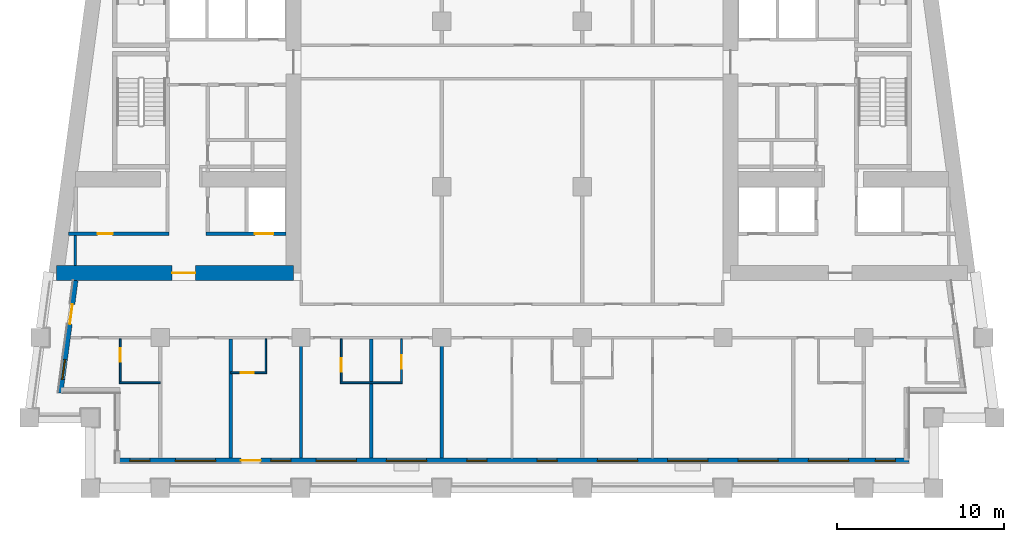
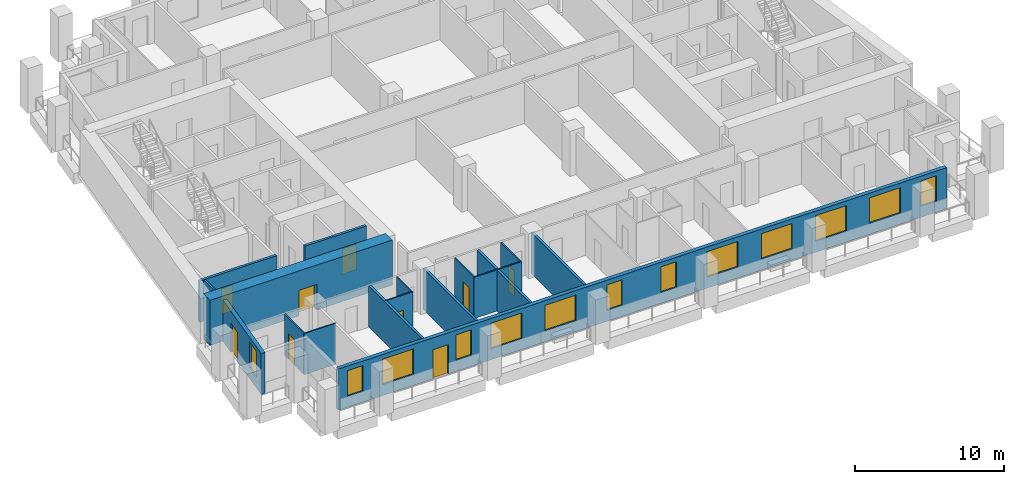
# One storey, part 2 of 13: 17 walls, 13 windows, 9 doors, 22 openings.
"""IFC4 building model written with IfcOpenShell, lengths in metres."""

from ifc_helpers import new_model, si_unit, direction, frame, frame_2d, origin, place, context, subcontext, project, spatial, rectangle, extrude, material, layer, layer_set, type_object, element, fill, save


model = new_model("IFC4")

# Units and contexts
model_context = context("Model", 3, precision=1e-05, world=origin(), true_north=direction((0.0, 1.0)))
body_context = subcontext(model_context, "Body", "Model", "MODEL_VIEW")
ifc_project = project(units=[si_unit("LENGTHUNIT", "METRE"), si_unit("AREAUNIT", "SQUARE_METRE"), si_unit("VOLUMEUNIT", "CUBIC_METRE"), si_unit("PLANEANGLEUNIT", "RADIAN"), si_unit("MASSUNIT", "GRAM", prefix="KILO")], contexts=[model_context])

# Site, building, storey
site_placement = place(None, origin())
site = spatial("IfcSite", under=ifc_project, at=site_placement, CompositionType="ELEMENT")
building_placement = place(site_placement, origin())
building = spatial("IfcBuilding", under=site, at=building_placement, Name="Candeia Pilgrim Tower and Theatre", CompositionType="ELEMENT")
storey_placement = place(building_placement, frame((0.0, 0.0, 151.5)))
storey = spatial("IfcBuildingStorey", under=building, at=storey_placement, Name="L35", CompositionType="ELEMENT", Elevation=151.5)

# Wall, opening, door
ifc_material_1 = material(Name="Concrete C60/75", Category="concrete")
ifc_layer_1 = layer(ifc_material_1, 0.89990234375)
ifc_layer_set_1 = layer_set([ifc_layer_1], Name="Core wall 900 C60/75")
wall_type_1 = type_object("IfcWallType", Name="Core wall 900 C60/75", PredefinedType="SHEAR", material=ifc_layer_set_1)
wall_1_placement = place(storey_placement, frame((100.35009765625, 110.85009765625, 0.0), z_axis=(0.0, 0.0, 1.0), x_axis=(-1.0, 0.0, 0.0)))
wall_1 = element("IfcWall", 1, at=wall_1_placement, inside=storey, type_object=wall_type_1, Name="Core wall W3", PredefinedType="SHEAR", context=body_context, shape_type="SweptSolid", body=[
    extrude(rectangle(XDim=14.166259765625, YDim=0.89990234375, at=frame_2d((7.0830078125, 0.0))), origin(), (0.0, 0.0, 1.0), 3.699951171875),
])
opening_1_placement = place(wall_1_placement, frame((5.854736328125, 0.0, 0.0)))
opening_1 = element("IfcOpeningElement", 2, at=opening_1_placement, cuts=wall_1, Name="Opening L35-D057", PredefinedType="OPENING", context=body_context, shape_type="SweptSolid", body=[
    extrude(rectangle(XDim=1.39990234375, YDim=2.10009765625, at=frame_2d((0.699951171875, 1.050048828125))), frame((0.0, 0.4599609375, 0.0), z_axis=(0.0, -1.0, 0.0), x_axis=(1.0, 0.0, 0.0)), (0.0, 0.0, 1.0), 0.919921875),
])
ifc_material_2 = material(Name="Steel fire door set", Category="steel")
door_type_1 = type_object("IfcDoorType", Name="D-1400-FD60", OperationType="NOTDEFINED", PredefinedType="DOOR", material=ifc_material_2)
door_1_placement = place(opening_1_placement, origin())
door_1 = element("IfcDoor", 3, at=door_1_placement, inside=storey, type_object=door_type_1, Name="Door L35-D057", OperationType="SINGLE_SWING_RIGHT", OverallHeight=2.10009765625, OverallWidth=1.39990234375, PredefinedType="DOOR", context=body_context, shape_type="SweptSolid", body=[
    extrude(rectangle(XDim=1.39990234375, YDim=2.10009765625, at=frame_2d((0.699951171875, 1.050048828125))), frame((0.0, 0.02490234375, 0.0), z_axis=(0.0, -1.0, 0.0), x_axis=(1.0, 0.0, 0.0)), (0.0, 0.0, 1.0), 0.050048828125),
])
fill(opening_1, door_1)

# Wall, openings, door, windows
ifc_material_3 = material(Name="Ceramic block masonry", Category="masonry")
ifc_layer_2 = layer(ifc_material_3, 0.300048828125)
ifc_layer_set_2 = layer_set([ifc_layer_2], Name="EW1 glazing-line wall 300")
wall_type_2 = type_object("IfcWallType", Name="EW1 glazing-line wall 300", PredefinedType="SOLIDWALL", material=ifc_layer_set_2)
wall_2_placement = place(storey_placement, frame((89.85009765625, 99.64990234375, 0.0), z_axis=(0.0, 0.0, 1.0), x_axis=(1.0, 0.0, 0.0)))
wall_2 = element("IfcWall", 4, at=wall_2_placement, inside=storey, type_object=wall_type_2, Name="External wall L35-0.0", PredefinedType="SOLIDWALL", context=body_context, shape_type="SweptSolid", body=[
    extrude(rectangle(XDim=47.25, YDim=0.300048828125, at=frame_2d((23.625, 0.0))), origin(), (0.0, 0.0, 1.0), 3.3798828125),
])
opening_2_placement = place(wall_2_placement, frame((0.72509765625, 0.0, 0.89990234375)))
opening_2 = element("IfcOpeningElement", 5, at=opening_2_placement, cuts=wall_2, Name="Opening W-B", PredefinedType="OPENING", context=body_context, shape_type="SweptSolid", body=[
    extrude(rectangle(XDim=1.199951171875, YDim=2.10009765625, at=frame_2d((0.60009765625, 1.050048828125))), frame((0.0, 0.16015625, 0.0), z_axis=(0.0, -1.0, 0.0), x_axis=(1.0, 0.0, 0.0)), (0.0, 0.0, 1.0), 0.320068359375),
])
opening_3_placement = place(wall_2_placement, frame((3.449951171875, 0.0, 0.89990234375)))
opening_3 = element("IfcOpeningElement", 6, at=opening_3_placement, cuts=wall_2, Name="Opening W-A", PredefinedType="OPENING", context=body_context, shape_type="SweptSolid", body=[
    extrude(rectangle(XDim=2.39990234375, YDim=2.10009765625, at=frame_2d((1.199951171875, 1.050048828125))), frame((0.0, 0.16015625, 0.0), z_axis=(0.0, -1.0, 0.0), x_axis=(1.0, 0.0, 0.0)), (0.0, 0.0, 1.0), 0.320068359375),
])
opening_4_placement = place(wall_2_placement, frame((7.35009765625, 0.0, 0.0)))
opening_4 = element("IfcOpeningElement", 7, at=opening_4_placement, cuts=wall_2, Name="Opening L35-ED335", PredefinedType="OPENING", context=body_context, shape_type="SweptSolid", body=[
    extrude(rectangle(XDim=1.199951171875, YDim=2.39990234375, at=frame_2d((0.60009765625, 1.199951171875))), frame((0.0, 0.16015625, 0.0), z_axis=(0.0, -1.0, 0.0), x_axis=(1.0, 0.0, 0.0)), (0.0, 0.0, 1.0), 0.320068359375),
])
opening_5_placement = place(wall_2_placement, frame((9.14990234375, 0.0, 0.89990234375)))
opening_5 = element("IfcOpeningElement", 8, at=opening_5_placement, cuts=wall_2, Name="Opening W-B", PredefinedType="OPENING", context=body_context, shape_type="SweptSolid", body=[
    extrude(rectangle(XDim=1.199951171875, YDim=2.10009765625, at=frame_2d((0.60009765625, 1.050048828125))), frame((0.0, 0.16015625, 0.0), z_axis=(0.0, -1.0, 0.0), x_axis=(1.0, 0.0, 0.0)), (0.0, 0.0, 1.0), 0.320068359375),
])
opening_6_placement = place(wall_2_placement, frame((11.85009765625, 0.0, 0.89990234375)))
opening_6 = element("IfcOpeningElement", 9, at=opening_6_placement, cuts=wall_2, Name="Opening W-A", PredefinedType="OPENING", context=body_context, shape_type="SweptSolid", body=[
    extrude(rectangle(XDim=2.39990234375, YDim=2.10009765625, at=frame_2d((1.199951171875, 1.050048828125))), frame((0.0, 0.16015625, 0.0), z_axis=(0.0, -1.0, 0.0), x_axis=(1.0, 0.0, 0.0)), (0.0, 0.0, 1.0), 0.320068359375),
])
opening_7_placement = place(wall_2_placement, frame((16.050048828125, 0.0, 0.89990234375)))
opening_7 = element("IfcOpeningElement", 10, at=opening_7_placement, cuts=wall_2, Name="Opening W-A", PredefinedType="OPENING", context=body_context, shape_type="SweptSolid", body=[
    extrude(rectangle(XDim=2.39990234375, YDim=2.10009765625, at=frame_2d((1.199951171875, 1.050048828125))), frame((0.0, 0.16015625, 0.0), z_axis=(0.0, -1.0, 0.0), x_axis=(1.0, 0.0, 0.0)), (0.0, 0.0, 1.0), 0.320068359375),
])
opening_8_placement = place(wall_2_placement, frame((20.85009765625, 0.0, 0.89990234375)))
opening_8 = element("IfcOpeningElement", 11, at=opening_8_placement, cuts=wall_2, Name="Opening W-B", PredefinedType="OPENING", context=body_context, shape_type="SweptSolid", body=[
    extrude(rectangle(XDim=1.199951171875, YDim=2.10009765625, at=frame_2d((0.60009765625, 1.050048828125))), frame((0.0, 0.16015625, 0.0), z_axis=(0.0, -1.0, 0.0), x_axis=(1.0, 0.0, 0.0)), (0.0, 0.0, 1.0), 0.320068359375),
])
opening_9_placement = place(wall_2_placement, frame((25.050048828125, 0.0, 0.89990234375)))
opening_9 = element("IfcOpeningElement", 12, at=opening_9_placement, cuts=wall_2, Name="Opening W-B", PredefinedType="OPENING", context=body_context, shape_type="SweptSolid", body=[
    extrude(rectangle(XDim=1.199951171875, YDim=2.10009765625, at=frame_2d((0.60009765625, 1.050048828125))), frame((0.0, 0.16015625, 0.0), z_axis=(0.0, -1.0, 0.0), x_axis=(1.0, 0.0, 0.0)), (0.0, 0.0, 1.0), 0.320068359375),
])
opening_10_placement = place(wall_2_placement, frame((28.64990234375, 0.0, 0.89990234375)))
opening_10 = element("IfcOpeningElement", 13, at=opening_10_placement, cuts=wall_2, Name="Opening W-A", PredefinedType="OPENING", context=body_context, shape_type="SweptSolid", body=[
    extrude(rectangle(XDim=2.39990234375, YDim=2.10009765625, at=frame_2d((1.199951171875, 1.050048828125))), frame((0.0, 0.16015625, 0.0), z_axis=(0.0, -1.0, 0.0), x_axis=(1.0, 0.0, 0.0)), (0.0, 0.0, 1.0), 0.320068359375),
])
opening_11_placement = place(wall_2_placement, frame((32.85009765625, 0.0, 0.89990234375)))
opening_11 = element("IfcOpeningElement", 14, at=opening_11_placement, cuts=wall_2, Name="Opening W-A", PredefinedType="OPENING", context=body_context, shape_type="SweptSolid", body=[
    extrude(rectangle(XDim=2.39990234375, YDim=2.10009765625, at=frame_2d((1.199951171875, 1.050048828125))), frame((0.0, 0.16015625, 0.0), z_axis=(0.0, -1.0, 0.0), x_axis=(1.0, 0.0, 0.0)), (0.0, 0.0, 1.0), 0.320068359375),
])
opening_12_placement = place(wall_2_placement, frame((37.050048828125, 0.0, 0.89990234375)))
opening_12 = element("IfcOpeningElement", 15, at=opening_12_placement, cuts=wall_2, Name="Opening W-A", PredefinedType="OPENING", context=body_context, shape_type="SweptSolid", body=[
    extrude(rectangle(XDim=2.39990234375, YDim=2.10009765625, at=frame_2d((1.199951171875, 1.050048828125))), frame((0.0, 0.16015625, 0.0), z_axis=(0.0, -1.0, 0.0), x_axis=(1.0, 0.0, 0.0)), (0.0, 0.0, 1.0), 0.320068359375),
])
opening_13_placement = place(wall_2_placement, frame((41.25, 0.0, 0.89990234375)))
opening_13 = element("IfcOpeningElement", 16, at=opening_13_placement, cuts=wall_2, Name="Opening W-A", PredefinedType="OPENING", context=body_context, shape_type="SweptSolid", body=[
    extrude(rectangle(XDim=2.39990234375, YDim=2.10009765625, at=frame_2d((1.199951171875, 1.050048828125))), frame((0.0, 0.16015625, 0.0), z_axis=(0.0, -1.0, 0.0), x_axis=(1.0, 0.0, 0.0)), (0.0, 0.0, 1.0), 0.320068359375),
])
opening_14_placement = place(wall_2_placement, frame((45.25, 0.0, 0.89990234375)))
opening_14 = element("IfcOpeningElement", 17, at=opening_14_placement, cuts=wall_2, Name="Opening W-B", PredefinedType="OPENING", context=body_context, shape_type="SweptSolid", body=[
    extrude(rectangle(XDim=1.199951171875, YDim=2.10009765625, at=frame_2d((0.60009765625, 1.050048828125))), frame((0.0, 0.16015625, 0.0), z_axis=(0.0, -1.0, 0.0), x_axis=(1.0, 0.0, 0.0)), (0.0, 0.0, 1.0), 0.320068359375),
])
ifc_material_4 = material(Name="Aluminium framed glazed door", Category="aluminium")
door_type_2 = type_object("IfcDoorType", Name="Loggia door 1200x2400", OperationType="DOUBLE_DOOR_SINGLE_SWING", PredefinedType="DOOR", material=ifc_material_4)
door_2_placement = place(opening_4_placement, origin())
door_2 = element("IfcDoor", 18, at=door_2_placement, inside=storey, type_object=door_type_2, Name="Loggia door L35-ED335", OperationType="DOUBLE_DOOR_SINGLE_SWING", OverallHeight=2.39990234375, OverallWidth=1.199951171875, PredefinedType="DOOR", context=body_context, shape_type="SweptSolid", body=[
    extrude(rectangle(XDim=1.199951171875, YDim=2.39990234375, at=frame_2d((0.60009765625, 1.199951171875))), frame((0.0, 0.02490234375, 0.0), z_axis=(0.0, -1.0, 0.0), x_axis=(1.0, 0.0, 0.0)), (0.0, 0.0, 1.0), 0.050048828125),
])
fill(opening_4, door_2)
ifc_material_5 = material(Name="Aluminium framed double glazing", Category="aluminium")
window_type_1 = type_object("IfcWindowType", Name="W-A window 2400x2100", PartitioningType="DOUBLE_PANEL_VERTICAL", PredefinedType="WINDOW", material=ifc_material_5)
window_1_placement = place(opening_3_placement, origin())
window_1 = element("IfcWindow", 19, at=window_1_placement, inside=storey, type_object=window_type_1, Name="Window W-A L35", OverallHeight=2.10009765625, OverallWidth=2.39990234375, PartitioningType="SINGLE_PANEL", PredefinedType="WINDOW", context=body_context, shape_type="SweptSolid", body=[
    extrude(rectangle(XDim=2.39990234375, YDim=2.10009765625, at=frame_2d((1.199951171875, 1.050048828125))), frame((0.0, 0.030029296875, 0.0), z_axis=(0.0, -1.0, 0.0), x_axis=(1.0, 0.0, 0.0)), (0.0, 0.0, 1.0), 0.06005859375),
])
fill(opening_3, window_1)
window_2_placement = place(opening_6_placement, origin())
window_2 = element("IfcWindow", 20, at=window_2_placement, inside=storey, type_object=window_type_1, Name="Window W-A L35", OverallHeight=2.10009765625, OverallWidth=2.39990234375, PartitioningType="SINGLE_PANEL", PredefinedType="WINDOW", context=body_context, shape_type="SweptSolid", body=[
    extrude(rectangle(XDim=2.39990234375, YDim=2.10009765625, at=frame_2d((1.199951171875, 1.050048828125))), frame((0.0, 0.030029296875, 0.0), z_axis=(0.0, -1.0, 0.0), x_axis=(1.0, 0.0, 0.0)), (0.0, 0.0, 1.0), 0.06005859375),
])
fill(opening_6, window_2)
window_3_placement = place(opening_7_placement, origin())
window_3 = element("IfcWindow", 21, at=window_3_placement, inside=storey, type_object=window_type_1, Name="Window W-A L35", OverallHeight=2.10009765625, OverallWidth=2.39990234375, PartitioningType="SINGLE_PANEL", PredefinedType="WINDOW", context=body_context, shape_type="SweptSolid", body=[
    extrude(rectangle(XDim=2.39990234375, YDim=2.10009765625, at=frame_2d((1.199951171875, 1.050048828125))), frame((0.0, 0.030029296875, 0.0), z_axis=(0.0, -1.0, 0.0), x_axis=(1.0, 0.0, 0.0)), (0.0, 0.0, 1.0), 0.06005859375),
])
fill(opening_7, window_3)
window_4_placement = place(opening_10_placement, origin())
window_4 = element("IfcWindow", 22, at=window_4_placement, inside=storey, type_object=window_type_1, Name="Window W-A L35", OverallHeight=2.10009765625, OverallWidth=2.39990234375, PartitioningType="SINGLE_PANEL", PredefinedType="WINDOW", context=body_context, shape_type="SweptSolid", body=[
    extrude(rectangle(XDim=2.39990234375, YDim=2.10009765625, at=frame_2d((1.199951171875, 1.050048828125))), frame((0.0, 0.030029296875, 0.0), z_axis=(0.0, -1.0, 0.0), x_axis=(1.0, 0.0, 0.0)), (0.0, 0.0, 1.0), 0.06005859375),
])
fill(opening_10, window_4)
window_5_placement = place(opening_11_placement, origin())
window_5 = element("IfcWindow", 23, at=window_5_placement, inside=storey, type_object=window_type_1, Name="Window W-A L35", OverallHeight=2.10009765625, OverallWidth=2.39990234375, PartitioningType="SINGLE_PANEL", PredefinedType="WINDOW", context=body_context, shape_type="SweptSolid", body=[
    extrude(rectangle(XDim=2.39990234375, YDim=2.10009765625, at=frame_2d((1.199951171875, 1.050048828125))), frame((0.0, 0.030029296875, 0.0), z_axis=(0.0, -1.0, 0.0), x_axis=(1.0, 0.0, 0.0)), (0.0, 0.0, 1.0), 0.06005859375),
])
fill(opening_11, window_5)
window_6_placement = place(opening_12_placement, origin())
window_6 = element("IfcWindow", 24, at=window_6_placement, inside=storey, type_object=window_type_1, Name="Window W-A L35", OverallHeight=2.10009765625, OverallWidth=2.39990234375, PartitioningType="SINGLE_PANEL", PredefinedType="WINDOW", context=body_context, shape_type="SweptSolid", body=[
    extrude(rectangle(XDim=2.39990234375, YDim=2.10009765625, at=frame_2d((1.199951171875, 1.050048828125))), frame((0.0, 0.030029296875, 0.0), z_axis=(0.0, -1.0, 0.0), x_axis=(1.0, 0.0, 0.0)), (0.0, 0.0, 1.0), 0.06005859375),
])
fill(opening_12, window_6)
window_7_placement = place(opening_13_placement, origin())
window_7 = element("IfcWindow", 25, at=window_7_placement, inside=storey, type_object=window_type_1, Name="Window W-A L35", OverallHeight=2.10009765625, OverallWidth=2.39990234375, PartitioningType="SINGLE_PANEL", PredefinedType="WINDOW", context=body_context, shape_type="SweptSolid", body=[
    extrude(rectangle(XDim=2.39990234375, YDim=2.10009765625, at=frame_2d((1.199951171875, 1.050048828125))), frame((0.0, 0.030029296875, 0.0), z_axis=(0.0, -1.0, 0.0), x_axis=(1.0, 0.0, 0.0)), (0.0, 0.0, 1.0), 0.06005859375),
])
fill(opening_13, window_7)
window_type_2 = type_object("IfcWindowType", Name="W-B window 1200x2100", PartitioningType="SINGLE_PANEL", PredefinedType="WINDOW", material=ifc_material_5)
window_8_placement = place(opening_2_placement, origin())
window_8 = element("IfcWindow", 26, at=window_8_placement, inside=storey, type_object=window_type_2, Name="Window W-B L35", OverallHeight=2.10009765625, OverallWidth=1.199951171875, PartitioningType="SINGLE_PANEL", PredefinedType="WINDOW", context=body_context, shape_type="SweptSolid", body=[
    extrude(rectangle(XDim=1.199951171875, YDim=2.10009765625, at=frame_2d((0.60009765625, 1.050048828125))), frame((0.0, 0.030029296875, 0.0), z_axis=(0.0, -1.0, 0.0), x_axis=(1.0, 0.0, 0.0)), (0.0, 0.0, 1.0), 0.06005859375),
])
fill(opening_2, window_8)
window_9_placement = place(opening_5_placement, origin())
window_9 = element("IfcWindow", 27, at=window_9_placement, inside=storey, type_object=window_type_2, Name="Window W-B L35", OverallHeight=2.10009765625, OverallWidth=1.199951171875, PartitioningType="SINGLE_PANEL", PredefinedType="WINDOW", context=body_context, shape_type="SweptSolid", body=[
    extrude(rectangle(XDim=1.199951171875, YDim=2.10009765625, at=frame_2d((0.60009765625, 1.050048828125))), frame((0.0, 0.030029296875, 0.0), z_axis=(0.0, -1.0, 0.0), x_axis=(1.0, 0.0, 0.0)), (0.0, 0.0, 1.0), 0.06005859375),
])
fill(opening_5, window_9)
window_10_placement = place(opening_8_placement, origin())
window_10 = element("IfcWindow", 28, at=window_10_placement, inside=storey, type_object=window_type_2, Name="Window W-B L35", OverallHeight=2.10009765625, OverallWidth=1.199951171875, PartitioningType="SINGLE_PANEL", PredefinedType="WINDOW", context=body_context, shape_type="SweptSolid", body=[
    extrude(rectangle(XDim=1.199951171875, YDim=2.10009765625, at=frame_2d((0.60009765625, 1.050048828125))), frame((0.0, 0.030029296875, 0.0), z_axis=(0.0, -1.0, 0.0), x_axis=(1.0, 0.0, 0.0)), (0.0, 0.0, 1.0), 0.06005859375),
])
fill(opening_8, window_10)
window_11_placement = place(opening_9_placement, origin())
window_11 = element("IfcWindow", 29, at=window_11_placement, inside=storey, type_object=window_type_2, Name="Window W-B L35", OverallHeight=2.10009765625, OverallWidth=1.199951171875, PartitioningType="SINGLE_PANEL", PredefinedType="WINDOW", context=body_context, shape_type="SweptSolid", body=[
    extrude(rectangle(XDim=1.199951171875, YDim=2.10009765625, at=frame_2d((0.60009765625, 1.050048828125))), frame((0.0, 0.030029296875, 0.0), z_axis=(0.0, -1.0, 0.0), x_axis=(1.0, 0.0, 0.0)), (0.0, 0.0, 1.0), 0.06005859375),
])
fill(opening_9, window_11)
window_12_placement = place(opening_14_placement, origin())
window_12 = element("IfcWindow", 30, at=window_12_placement, inside=storey, type_object=window_type_2, Name="Window W-B L35", OverallHeight=2.10009765625, OverallWidth=1.199951171875, PartitioningType="SINGLE_PANEL", PredefinedType="WINDOW", context=body_context, shape_type="SweptSolid", body=[
    extrude(rectangle(XDim=1.199951171875, YDim=2.10009765625, at=frame_2d((0.60009765625, 1.050048828125))), frame((0.0, 0.030029296875, 0.0), z_axis=(0.0, -1.0, 0.0), x_axis=(1.0, 0.0, 0.0)), (0.0, 0.0, 1.0), 0.06005859375),
])
fill(opening_14, window_12)

# Wall, openings, door, window
wall_3_placement = place(storey_placement, frame((87.334228515625, 110.39990234375, 0.0), z_axis=(0.0, 0.0, 1.0), x_axis=(-0.133437175554, -0.991057273915, 0.0)))
wall_3 = element("IfcWall", 31, at=wall_3_placement, inside=storey, type_object=wall_type_2, Name="External wall L35-9.1", PredefinedType="SOLIDWALL", context=body_context, shape_type="SweptSolid", body=[
    extrude(rectangle(XDim=6.780517578125, YDim=0.300048828125, at=frame_2d((3.39013671875, 0.0))), origin(), (0.0, 0.0, 1.0), 3.3798828125),
])
opening_15_placement = place(wall_3_placement, frame((1.41796875, 0.0, 0.0)))
opening_15 = element("IfcOpeningElement", 32, at=opening_15_placement, cuts=wall_3, Name="Opening L35-ED342", PredefinedType="OPENING", context=body_context, shape_type="SweptSolid", body=[
    extrude(rectangle(XDim=1.199951171875, YDim=2.39990234375, at=frame_2d((0.60009765625, 1.199951171875))), frame((0.0, 0.16015625, 0.0), z_axis=(0.0, -1.0, 0.0), x_axis=(1.0, 0.0, 0.0)), (0.0, 0.0, 1.0), 0.320068359375),
])
opening_16_placement = place(wall_3_placement, frame((4.75830078125, 0.0, 0.89990234375)))
opening_16 = element("IfcOpeningElement", 33, at=opening_16_placement, cuts=wall_3, Name="Opening W-B", PredefinedType="OPENING", context=body_context, shape_type="SweptSolid", body=[
    extrude(rectangle(XDim=1.199951171875, YDim=2.10009765625, at=frame_2d((0.60009765625, 1.050048828125))), frame((0.0, 0.16015625, 0.0), z_axis=(0.0, -1.0, 0.0), x_axis=(1.0, 0.0, 0.0)), (0.0, 0.0, 1.0), 0.320068359375),
])
door_3_placement = place(opening_15_placement, origin())
door_3 = element("IfcDoor", 34, at=door_3_placement, inside=storey, type_object=door_type_2, Name="Loggia door L35-ED342", OperationType="DOUBLE_DOOR_SINGLE_SWING", OverallHeight=2.39990234375, OverallWidth=1.199951171875, PredefinedType="DOOR", context=body_context, shape_type="SweptSolid", body=[
    extrude(rectangle(XDim=1.199951171875, YDim=2.39990234375, at=frame_2d((0.60009765625, 1.199951171875))), frame((0.0, 0.02490234375, 0.0), z_axis=(0.0, -1.0, 0.0), x_axis=(1.0, 0.0, 0.0)), (0.0, 0.0, 1.0), 0.050048828125),
])
fill(opening_15, door_3)
window_13_placement = place(opening_16_placement, origin())
window_13 = element("IfcWindow", 35, at=window_13_placement, inside=storey, type_object=window_type_2, Name="Window W-B L35", OverallHeight=2.10009765625, OverallWidth=1.199951171875, PartitioningType="SINGLE_PANEL", PredefinedType="WINDOW", context=body_context, shape_type="SweptSolid", body=[
    extrude(rectangle(XDim=1.199951171875, YDim=2.10009765625, at=frame_2d((0.60009765625, 1.050048828125))), frame((0.0, 0.030029296875, 0.0), z_axis=(0.0, -1.0, 0.0), x_axis=(1.0, 0.0, 0.0)), (0.0, 0.0, 1.0), 0.06005859375),
])
fill(opening_16, window_13)

# Walls
ifc_material_6 = material(Name="Gypsum board partition on steel studs", Category="steel")
ifc_layer_3 = layer(ifc_material_6, 0.10009765625)
ifc_layer_set_3 = layer_set([ifc_layer_3], Name="PW-100 room partition")
wall_type_3 = type_object("IfcWallType", Name="PW-100 room partition", PredefinedType="PARTITIONING", material=ifc_layer_set_3)
wall_4_placement = place(storey_placement, frame((89.949951171875, 104.300048828125, 0.0), z_axis=(0.0, 0.0, 1.0), x_axis=(1.0, 0.0, 0.0)))
element("IfcWall", 36, at=wall_4_placement, inside=storey, type_object=wall_type_3, Name="Room partition L35-001", PredefinedType="PARTITIONING", context=body_context, shape_type="SweptSolid", body=[
    extrude(rectangle(XDim=2.449951171875, YDim=0.10009765625, at=frame_2d((1.22509765625, 0.0))), origin(), (0.0, 0.0, 1.0), 3.3798828125),
])
wall_5_placement = place(storey_placement, frame((103.14990234375, 104.300048828125, 0.0), z_axis=(0.0, 0.0, 1.0), x_axis=(1.0, 0.0, 0.0)))
element("IfcWall", 37, at=wall_5_placement, inside=storey, type_object=wall_type_3, Name="Room partition L35-002", PredefinedType="PARTITIONING", context=body_context, shape_type="SweptSolid", body=[
    extrude(rectangle(XDim=3.7001953125, YDim=0.10009765625, at=frame_2d((1.85009765625, 0.0))), origin(), (0.0, 0.0, 1.0), 3.3798828125),
])

# Wall, opening, door
wall_6_placement = place(storey_placement, frame((96.60009765625, 104.89990234375, 0.0), z_axis=(0.0, 0.0, 1.0), x_axis=(1.0, 0.0, 0.0)))
wall_6 = element("IfcWall", 38, at=wall_6_placement, inside=storey, type_object=wall_type_3, Name="Room partition L35-007", PredefinedType="PARTITIONING", context=body_context, shape_type="SweptSolid", body=[
    extrude(rectangle(XDim=2.14990234375, YDim=0.10009765625, at=frame_2d((1.074951171875, 0.0))), origin(), (0.0, 0.0, 1.0), 3.3798828125),
])
opening_17_placement = place(wall_6_placement, frame((0.590087890625, 0.0, 0.0)))
opening_17 = element("IfcOpeningElement", 39, at=opening_17_placement, cuts=wall_6, Name="Opening L35-D020", PredefinedType="OPENING", context=body_context, shape_type="SweptSolid", body=[
    extrude(rectangle(XDim=0.800048828125, YDim=2.10009765625, at=frame_2d((0.39990234375, 1.050048828125))), frame((0.0, 0.06005859375, 0.0), z_axis=(0.0, -1.0, 0.0), x_axis=(1.0, 0.0, 0.0)), (0.0, 0.0, 1.0), 0.1201171875),
])
ifc_material_7 = material(Name="Timber door leaf", Category="wood")
door_type_3 = type_object("IfcDoorType", Name="D-800", OperationType="NOTDEFINED", PredefinedType="DOOR", material=ifc_material_7)
door_4_placement = place(opening_17_placement, origin())
door_4 = element("IfcDoor", 40, at=door_4_placement, inside=storey, type_object=door_type_3, Name="Door L35-D020", OperationType="SINGLE_SWING_LEFT", OverallHeight=2.10009765625, OverallWidth=0.800048828125, PredefinedType="DOOR", context=body_context, shape_type="SweptSolid", body=[
    extrude(rectangle(XDim=0.800048828125, YDim=2.10009765625, at=frame_2d((0.39990234375, 1.050048828125))), frame((0.0, 0.02490234375, 0.0), z_axis=(0.0, -1.0, 0.0), x_axis=(1.0, 0.0, 0.0)), (0.0, 0.0, 1.0), 0.050048828125),
])
fill(opening_17, door_4)

wall_7_placement = place(storey_placement, frame((90.0, 104.35009765625, 0.0), z_axis=(0.0, 0.0, 1.0), x_axis=(0.0, 1.0, 0.0)))
wall_7 = element("IfcWall", 41, at=wall_7_placement, inside=storey, type_object=wall_type_3, Name="Room partition L35-052", PredefinedType="PARTITIONING", context=body_context, shape_type="SweptSolid", body=[
    extrude(rectangle(XDim=2.574951171875, YDim=0.10009765625, at=frame_2d((1.28759765625, 0.0))), origin(), (0.0, 0.0, 1.0), 3.3798828125),
])
opening_18_placement = place(wall_7_placement, frame((1.199951171875, 0.0, 0.0)))
opening_18 = element("IfcOpeningElement", 42, at=opening_18_placement, cuts=wall_7, Name="Opening L35-D017", PredefinedType="OPENING", context=body_context, shape_type="SweptSolid", body=[
    extrude(rectangle(XDim=0.800048828125, YDim=2.10009765625, at=frame_2d((0.39990234375, 1.050048828125))), frame((0.0, 0.06005859375, 0.0), z_axis=(0.0, -1.0, 0.0), x_axis=(1.0, 0.0, 0.0)), (0.0, 0.0, 1.0), 0.1201171875),
])
door_5_placement = place(opening_18_placement, origin())
door_5 = element("IfcDoor", 43, at=door_5_placement, inside=storey, type_object=door_type_3, Name="Door L35-D017", OperationType="SINGLE_SWING_RIGHT", OverallHeight=2.10009765625, OverallWidth=0.800048828125, PredefinedType="DOOR", context=body_context, shape_type="SweptSolid", body=[
    extrude(rectangle(XDim=0.800048828125, YDim=2.10009765625, at=frame_2d((0.39990234375, 1.050048828125))), frame((0.0, 0.02490234375, 0.0), z_axis=(0.0, -1.0, 0.0), x_axis=(1.0, 0.0, 0.0)), (0.0, 0.0, 1.0), 0.050048828125),
])
fill(opening_18, door_5)

# Wall
wall_8_placement = place(storey_placement, frame((98.699951171875, 104.949951171875, 0.0), z_axis=(0.0, 0.0, 1.0), x_axis=(0.0, 1.0, 0.0)))
element("IfcWall", 44, at=wall_8_placement, inside=storey, type_object=wall_type_3, Name="Room partition L35-070", PredefinedType="PARTITIONING", context=body_context, shape_type="SweptSolid", body=[
    extrude(rectangle(XDim=1.97509765625, YDim=0.10009765625, at=frame_2d((0.987548828125, 0.0))), origin(), (0.0, 0.0, 1.0), 3.3798828125),
])

# Wall, opening, door
wall_9_placement = place(storey_placement, frame((103.199951171875, 104.35009765625, 0.0), z_axis=(0.0, 0.0, 1.0), x_axis=(0.0, 1.0, 0.0)))
wall_9 = element("IfcWall", 45, at=wall_9_placement, inside=storey, type_object=wall_type_3, Name="Room partition L35-075", PredefinedType="PARTITIONING", context=body_context, shape_type="SweptSolid", body=[
    extrude(rectangle(XDim=2.574951171875, YDim=0.10009765625, at=frame_2d((1.28759765625, 0.0))), origin(), (0.0, 0.0, 1.0), 3.3798828125),
])
opening_19_placement = place(wall_9_placement, frame((0.60009765625, 0.0, 0.0)))
opening_19 = element("IfcOpeningElement", 46, at=opening_19_placement, cuts=wall_9, Name="Opening L35-D022", PredefinedType="OPENING", context=body_context, shape_type="SweptSolid", body=[
    extrude(rectangle(XDim=0.800048828125, YDim=2.10009765625, at=frame_2d((0.39990234375, 1.050048828125))), frame((0.0, 0.06005859375, 0.0), z_axis=(0.0, -1.0, 0.0), x_axis=(1.0, 0.0, 0.0)), (0.0, 0.0, 1.0), 0.1201171875),
])
door_6_placement = place(opening_19_placement, origin())
door_6 = element("IfcDoor", 47, at=door_6_placement, inside=storey, type_object=door_type_3, Name="Door L35-D022", OperationType="SINGLE_SWING_LEFT", OverallHeight=2.10009765625, OverallWidth=0.800048828125, PredefinedType="DOOR", context=body_context, shape_type="SweptSolid", body=[
    extrude(rectangle(XDim=0.800048828125, YDim=2.10009765625, at=frame_2d((0.39990234375, 1.050048828125))), frame((0.0, 0.02490234375, 0.0), z_axis=(0.0, -1.0, 0.0), x_axis=(1.0, 0.0, 0.0)), (0.0, 0.0, 1.0), 0.050048828125),
])
fill(opening_19, door_6)

wall_10_placement = place(storey_placement, frame((106.800048828125, 104.35009765625, 0.0), z_axis=(0.0, 0.0, 1.0), x_axis=(0.0, 1.0, 0.0)))
wall_10 = element("IfcWall", 48, at=wall_10_placement, inside=storey, type_object=wall_type_3, Name="Room partition L35-077", PredefinedType="PARTITIONING", context=body_context, shape_type="SweptSolid", body=[
    extrude(rectangle(XDim=2.574951171875, YDim=0.10009765625, at=frame_2d((1.28759765625, 0.0))), origin(), (0.0, 0.0, 1.0), 3.3798828125),
])
opening_20_placement = place(wall_10_placement, frame((0.780029296875, 0.0, 0.0)))
opening_20 = element("IfcOpeningElement", 49, at=opening_20_placement, cuts=wall_10, Name="Opening L35-D024", PredefinedType="OPENING", context=body_context, shape_type="SweptSolid", body=[
    extrude(rectangle(XDim=0.800048828125, YDim=2.10009765625, at=frame_2d((0.39990234375, 1.050048828125))), frame((0.0, 0.06005859375, 0.0), z_axis=(0.0, -1.0, 0.0), x_axis=(1.0, 0.0, 0.0)), (0.0, 0.0, 1.0), 0.1201171875),
])
door_7_placement = place(opening_20_placement, origin())
door_7 = element("IfcDoor", 50, at=door_7_placement, inside=storey, type_object=door_type_3, Name="Door L35-D024", OperationType="SINGLE_SWING_LEFT", OverallHeight=2.10009765625, OverallWidth=0.800048828125, PredefinedType="DOOR", context=body_context, shape_type="SweptSolid", body=[
    extrude(rectangle(XDim=0.800048828125, YDim=2.10009765625, at=frame_2d((0.39990234375, 1.050048828125))), frame((0.0, 0.02490234375, 0.0), z_axis=(0.0, -1.0, 0.0), x_axis=(1.0, 0.0, 0.0)), (0.0, 0.0, 1.0), 0.050048828125),
])
fill(opening_20, door_7)

# Walls
ifc_layer_4 = layer(ifc_material_6, 0.14990234375)
ifc_layer_set_4 = layer_set([ifc_layer_4], Name="PW-150 lobby wall")
wall_type_4 = type_object("IfcWallType", Name="PW-150 lobby wall", PredefinedType="PARTITIONING", material=ifc_layer_set_4)
wall_11_placement = place(storey_placement, frame((87.327880859375, 111.300048828125, 0.0), z_axis=(0.0, 0.0, 1.0), x_axis=(0.0, 1.0, 0.0)))
element("IfcWall", 51, at=wall_11_placement, inside=storey, type_object=wall_type_4, Name="Lobby wall L35-049", PredefinedType="PARTITIONING", context=body_context, shape_type="SweptSolid", body=[
    extrude(rectangle(XDim=1.800048828125, YDim=0.14990234375, at=frame_2d((0.89990234375, 0.0))), origin(), (0.0, 0.0, 1.0), 3.3798828125),
])
ifc_layer_5 = layer(ifc_material_6, 0.199951171875)
ifc_layer_set_5 = layer_set([ifc_layer_5], Name="PW-200 party wall")
wall_type_5 = type_object("IfcWallType", Name="PW-200 party wall", PredefinedType="PARTITIONING", material=ifc_layer_set_5)
for number, where, z_axis, x_axis, name in (
    (52, (96.60009765625, 99.7900390625, 0.0), (0.0, 0.0, 1.0), (0.0, 1.0, 0.0), "Party wall L35-064"),
    (53, (100.800048828125, 99.7900390625, 0.0), (0.0, 0.0, 1.0), (0.0, 1.0, 0.0), "Party wall L35-071"),
    (54, (105.0, 99.7900390625, 0.0), (0.0, 0.0, 1.0), (0.0, 1.0, 0.0), "Party wall L35-076"),
    (55, (109.199951171875, 99.7900390625, 0.0), (0.0, 0.0, 1.0), (0.0, 1.0, 0.0), "Party wall L35-079"),
):
    element("IfcWall", number, at=place(storey_placement, frame(where, z_axis=z_axis, x_axis=x_axis)), inside=storey, type_object=wall_type_5, Name=name, PredefinedType="PARTITIONING", context=body_context, shape_type="SweptSolid", body=[
        extrude(rectangle(XDim=7.135009765625, YDim=0.199951171875, at=frame_2d((3.5673828125, 0.0))), origin(), (0.0, 0.0, 1.0), 3.3798828125),
    ])

# Wall, opening, door
ifc_material_8 = material(Name="Concrete C40/50", Category="concrete")
ifc_layer_6 = layer(ifc_material_8, 0.199951171875)
ifc_layer_set_6 = layer_set([ifc_layer_6], Name="SW-200 shaft wall")
wall_type_6 = type_object("IfcWallType", Name="SW-200 shaft wall", PredefinedType="PARTITIONING", material=ifc_layer_set_6)
wall_12_placement = place(storey_placement, frame((86.92431640625, 113.199951171875, 0.0), z_axis=(0.0, 0.0, 1.0), x_axis=(1.0, 0.0, 0.0)))
wall_12 = element("IfcWall", 56, at=wall_12_placement, inside=storey, type_object=wall_type_6, Name="Shaft wall L35-010", PredefinedType="PARTITIONING", context=body_context, shape_type="SweptSolid", body=[
    extrude(rectangle(XDim=6.002685546875, YDim=0.199951171875, at=frame_2d((3.00146484375, 0.0))), origin(), (0.0, 0.0, 1.0), 3.3798828125),
])
opening_21_placement = place(wall_12_placement, frame((1.728759765625, 0.0, 0.0)))
opening_21 = element("IfcOpeningElement", 57, at=opening_21_placement, cuts=wall_12, Name="Opening L35-D007", PredefinedType="OPENING", context=body_context, shape_type="SweptSolid", body=[
    extrude(rectangle(XDim=0.89990234375, YDim=2.10009765625, at=frame_2d((0.449951171875, 1.050048828125))), frame((0.0, 0.10986328125, 0.0), z_axis=(0.0, -1.0, 0.0), x_axis=(1.0, 0.0, 0.0)), (0.0, 0.0, 1.0), 0.219970703125),
])
door_type_4 = type_object("IfcDoorType", Name="D-900-FD60", OperationType="NOTDEFINED", PredefinedType="DOOR", material=ifc_material_2)
door_8_placement = place(opening_21_placement, origin())
door_8 = element("IfcDoor", 58, at=door_8_placement, inside=storey, type_object=door_type_4, Name="Door L35-D007", OperationType="SINGLE_SWING_LEFT", OverallHeight=2.10009765625, OverallWidth=0.89990234375, PredefinedType="DOOR", context=body_context, shape_type="SweptSolid", body=[
    extrude(rectangle(XDim=0.89990234375, YDim=2.10009765625, at=frame_2d((0.449951171875, 1.050048828125))), frame((0.0, 0.02490234375, 0.0), z_axis=(0.0, -1.0, 0.0), x_axis=(1.0, 0.0, 0.0)), (0.0, 0.0, 1.0), 0.050048828125),
])
fill(opening_21, door_8)

wall_13_placement = place(storey_placement, frame((95.126953125, 113.199951171875, 0.0), z_axis=(0.0, 0.0, 1.0), x_axis=(1.0, 0.0, 0.0)))
wall_13 = element("IfcWall", 59, at=wall_13_placement, inside=storey, type_object=wall_type_6, Name="Shaft wall L35-011", PredefinedType="PARTITIONING", context=body_context, shape_type="SweptSolid", body=[
    extrude(rectangle(XDim=4.77294921875, YDim=0.199951171875, at=frame_2d((2.386474609375, 0.0))), origin(), (0.0, 0.0, 1.0), 3.3798828125),
])
opening_22_placement = place(wall_13_placement, frame((2.9208984375, 0.0, 0.0)))
opening_22 = element("IfcOpeningElement", 60, at=opening_22_placement, cuts=wall_13, Name="Opening L35-LD03", PredefinedType="OPENING", context=body_context, shape_type="SweptSolid", body=[
    extrude(rectangle(XDim=1.10009765625, YDim=2.10009765625, at=frame_2d((0.550048828125, 1.050048828125))), frame((0.0, 0.10986328125, 0.0), z_axis=(0.0, -1.0, 0.0), x_axis=(1.0, 0.0, 0.0)), (0.0, 0.0, 1.0), 0.219970703125),
])
ifc_material_9 = material(Name="Glazed aluminium landing door", Category="aluminium")
door_type_5 = type_object("IfcDoorType", Name="LD-1100-EI120", OperationType="SLIDING_TO_LEFT", PredefinedType="DOOR", material=ifc_material_9)
door_9_placement = place(opening_22_placement, origin())
door_9 = element("IfcDoor", 61, at=door_9_placement, inside=storey, type_object=door_type_5, Name="Landing door 03 L35", OperationType="SLIDING_TO_LEFT", OverallHeight=2.10009765625, OverallWidth=1.10009765625, PredefinedType="DOOR", context=body_context, shape_type="SweptSolid", body=[
    extrude(rectangle(XDim=1.10009765625, YDim=2.10009765625, at=frame_2d((0.550048828125, 1.050048828125))), frame((0.0, 0.02490234375, 0.0), z_axis=(0.0, -1.0, 0.0), x_axis=(1.0, 0.0, 0.0)), (0.0, 0.0, 1.0), 0.050048828125),
])
fill(opening_22, door_9)

save(model, "model.ifc")
